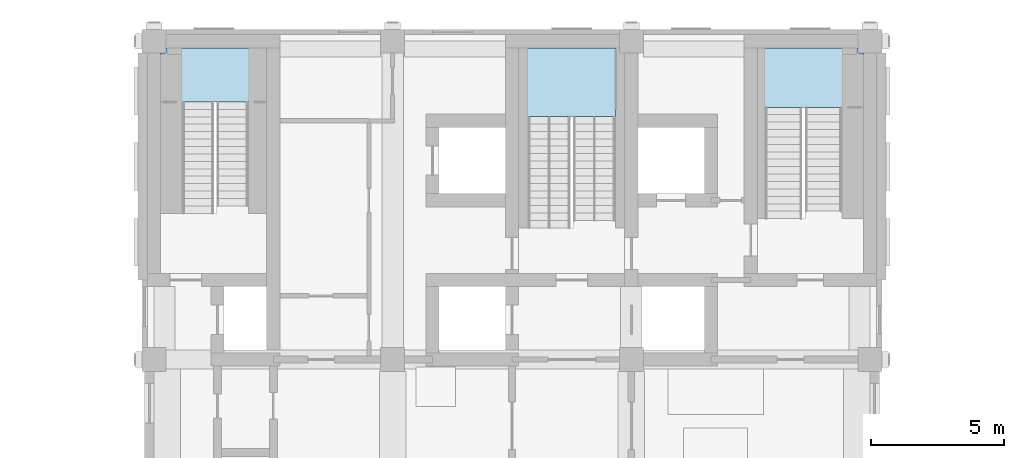
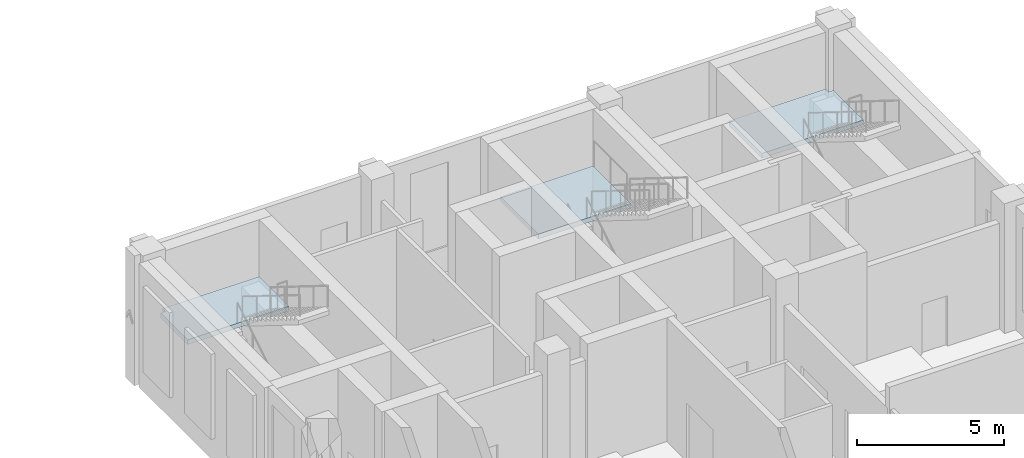
# One storey, part 22 of 39: 3 slabs, 3 elements without a shape of their own.
"""IFC4 building model written with IfcOpenShell, lengths in metres."""

from ifc_helpers import new_model, si_unit, direction, frame, origin, place, context, subcontext, project, spatial, polyline, outline, extrude, material, layer, layer_set, type_object, element, aggregate, save


model = new_model("IFC4")

# Units and contexts
model_context = context("Model", 3, precision=1e-05, world=origin(), true_north=direction((0.0, 1.0)))
body_context = subcontext(model_context, "Body", "Model", "MODEL_VIEW")
ifc_project = project(units=[si_unit("LENGTHUNIT", "METRE"), si_unit("AREAUNIT", "SQUARE_METRE"), si_unit("VOLUMEUNIT", "CUBIC_METRE"), si_unit("PLANEANGLEUNIT", "RADIAN"), si_unit("MASSUNIT", "GRAM", prefix="KILO")], contexts=[model_context])

# Site, building, storey
site_placement = place(None, origin())
site = spatial("IfcSite", under=ifc_project, at=site_placement, CompositionType="ELEMENT")
building_placement = place(site_placement, origin())
building = spatial("IfcBuilding", under=site, at=building_placement, Name="Aurelan Courthouse", CompositionType="ELEMENT")
storey_placement = place(building_placement, frame((0.0, 0.0, 28.199951171875)))
storey = spatial("IfcBuildingStorey", under=building, at=storey_placement, Name="L05", CompositionType="ELEMENT", Elevation=28.199951171875)

# Stair, slab
ifc_material = material(Name="Concrete C30", Category="concrete")
stair_type_1 = type_object("IfcStairType", Name="Half-turn stair 1200 wide 31 risers", PredefinedType="HALF_TURN_STAIR", material=ifc_material)
stair_1_placement = place(storey_placement, origin())
stair_1 = element("IfcStair", 1, at=stair_1_placement, inside=storey, type_object=stair_type_1, Name="Stair CS-2-L05", PredefinedType="HALF_TURN_STAIR")
ifc_layer = layer(ifc_material, 0.199951171875)
ifc_layer_set = layer_set([ifc_layer], Name="Concrete C30")
slab_type = type_object("IfcSlabType", Name="Stair half landing 200 thick", PredefinedType="LANDING", material=ifc_layer_set)
slab_1_placement = place(storey_placement, frame((0.0, 0.0, 2.587158203125)))
slab_1 = element("IfcSlab", 2, at=slab_1_placement, type_object=slab_type, Name="Stair CS-2-L05 half landing", PredefinedType="LANDING", context=body_context, shape_type="SweptSolid", body=[
    extrude(outline(polyline([(36.25, 65.550048828125), (36.449951171875, 65.550048828125), (36.449951171875, 65.75), (40.25, 65.75), (40.25, 63.7099609375), (36.25, 63.7099609375), (36.25, 65.550048828125)])), origin(), (0.0, 0.0, 1.0), 0.199951171875),
])
aggregate(stair_1, [slab_1])

stair_type_2 = type_object("IfcStairType", Name="Half-turn stair 1600 wide 31 risers", PredefinedType="HALF_TURN_STAIR", material=ifc_material)
stair_2_placement = place(storey_placement, origin())
stair_2 = element("IfcStair", 3, at=stair_2_placement, inside=storey, type_object=stair_type_2, Name="Stair ST-2A-L05", PredefinedType="HALF_TURN_STAIR")
slab_2_placement = place(storey_placement, frame((0.0, 0.0, 2.587158203125)))
slab_2 = element("IfcSlab", 4, at=slab_2_placement, type_object=slab_type, Name="Stair ST-2A-L05 half landing", PredefinedType="LANDING", context=body_context, shape_type="SweptSolid", body=[
    extrude(outline(polyline([(49.75, 63.159912109375), (49.75, 65.75), (53.39990234375, 65.75), (53.39990234375, 63.159912109375), (49.75, 63.159912109375)])), origin(), (0.0, 0.0, 1.0), 0.199951171875),
])
aggregate(stair_2, [slab_2])

stair_type_3 = type_object("IfcStairType", Name="Half-turn stair 1400 wide 31 risers", PredefinedType="HALF_TURN_STAIR", material=ifc_material)
stair_3_placement = place(storey_placement, origin())
stair_3 = element("IfcStair", 5, at=stair_3_placement, inside=storey, type_object=stair_type_3, Name="Stair ST-2E-L05", PredefinedType="HALF_TURN_STAIR")
slab_3_placement = place(storey_placement, frame((0.0, 0.0, 2.587158203125)))
slab_3 = element("IfcSlab", 6, at=slab_3_placement, type_object=slab_type, Name="Stair ST-2E-L05 half landing", PredefinedType="LANDING", context=body_context, shape_type="SweptSolid", body=[
    extrude(outline(polyline([(58.75, 65.75), (62.550048828125, 65.75), (62.550048828125, 65.550048828125), (62.75, 65.550048828125), (62.75, 63.510009765625), (58.75, 63.510009765625), (58.75, 65.75)])), origin(), (0.0, 0.0, 1.0), 0.199951171875),
])
aggregate(stair_3, [slab_3])

save(model, "model.ifc")
